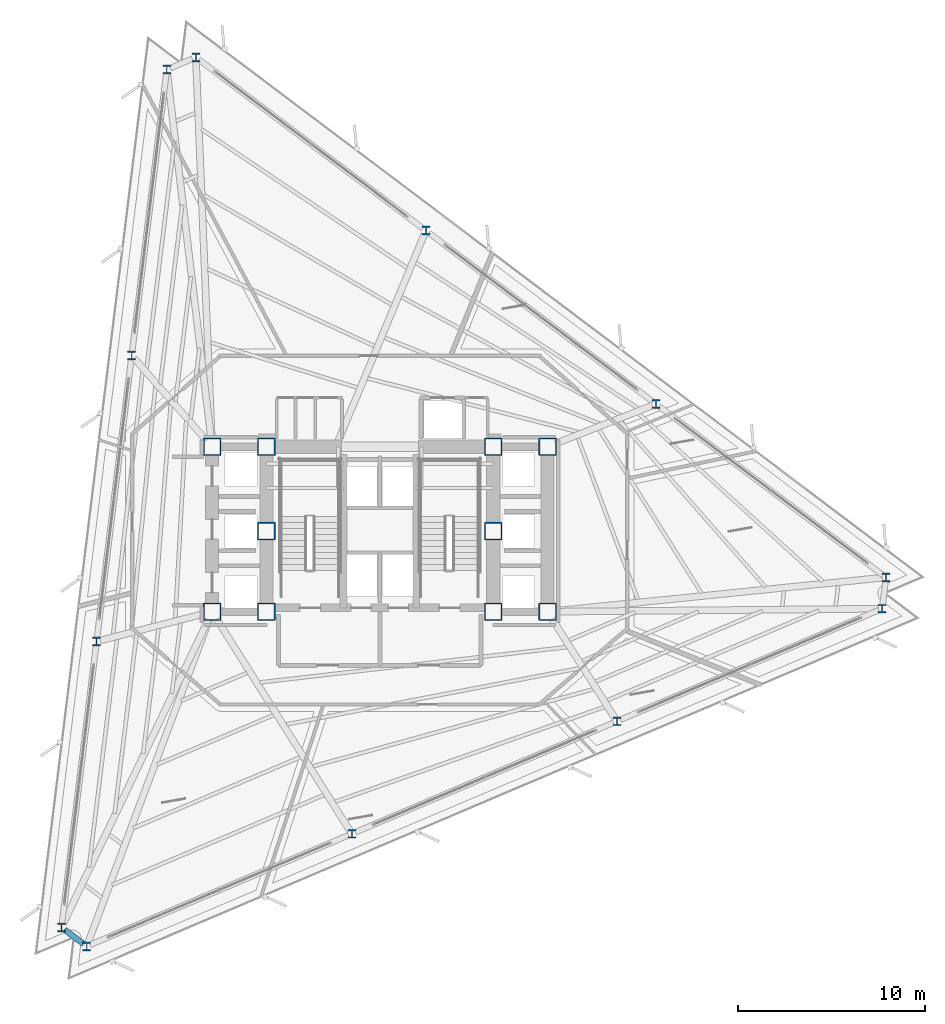
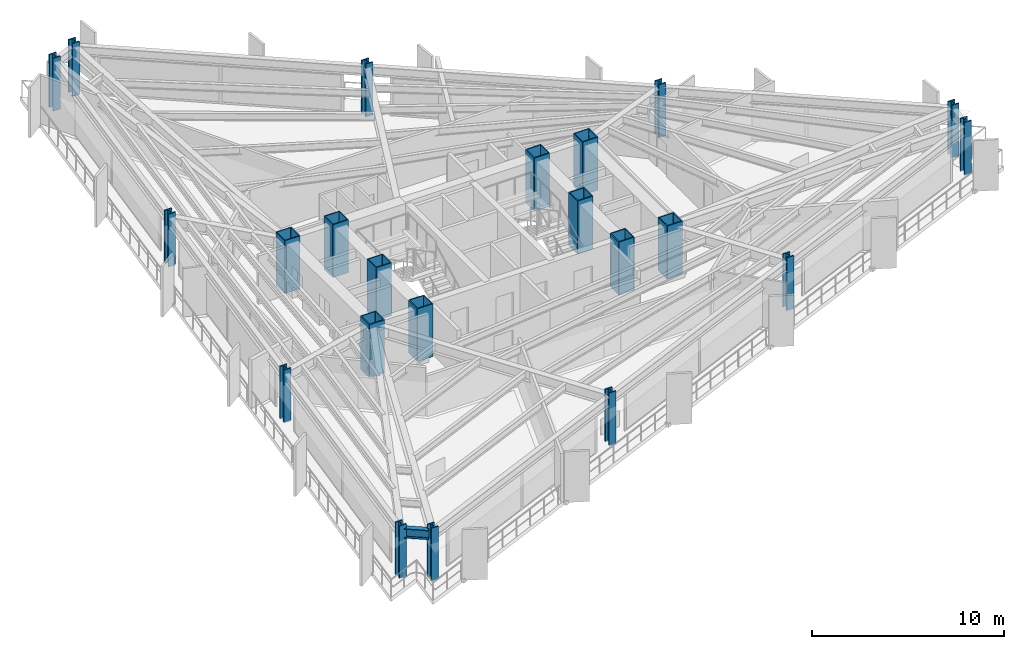
# One storey, part 1 of 13: 22 columns, 1 beam.
"""IFC4 building model written with IfcOpenShell, lengths in metres."""

from ifc_helpers import new_model, si_unit, direction, frame, origin, origin_2d, place, context, subcontext, project, spatial, hollow_rectangle, i_section, extrude, material, material_profile, profile_set, type_object, element, save


model = new_model("IFC4")

# Units and contexts
model_context = context("Model", 3, precision=1e-05, world=origin(), true_north=direction((0.0, 1.0)))
body_context = subcontext(model_context, "Body", "Model", "MODEL_VIEW")
ifc_project = project(units=[si_unit("LENGTHUNIT", "METRE"), si_unit("AREAUNIT", "SQUARE_METRE"), si_unit("VOLUMEUNIT", "CUBIC_METRE"), si_unit("PLANEANGLEUNIT", "RADIAN"), si_unit("MASSUNIT", "GRAM", prefix="KILO")], contexts=[model_context])

# Site, building, storey
site_placement = place(None, origin())
site = spatial("IfcSite", under=ifc_project, at=site_placement, CompositionType="ELEMENT")
building_placement = place(site_placement, origin())
building = spatial("IfcBuilding", under=site, at=building_placement, Name="Rocaltana Carrier Exchange", CompositionType="ELEMENT")
storey_placement = place(building_placement, frame((0.0, 0.0, 52.9599609375)))
storey = spatial("IfcBuildingStorey", under=building, at=storey_placement, Name="L16", CompositionType="ELEMENT", Elevation=52.9599609375)

# Columns
ifc_material_1 = material(Name="Steel S460", Category="steel")
ifc_material_profile_1 = material_profile(ifc_material_1, hollow_rectangle(XDim=0.949951171875, YDim=0.949951171875, WallThickness=0.06005859375, InnerFilletRadius=0.02001953125, OuterFilletRadius=0.0400390625, at=origin_2d()), Name="BOX950X950X60")
ifc_profile_set_1 = profile_set([ifc_material_profile_1], Name="Steel S460")
column_type_1 = type_object("IfcColumnType", Name="Core Mega-Column BOX950", PredefinedType="COLUMN", material=ifc_profile_set_1)
for number, where, z_axis, x_axis, name in (
    (1, (-6.050048828125, 4.5, 0.0), (0.0, 0.0, 1.0), (1.0, 0.0, 0.0), "L16 Core Mega-Column MC1"),
    (2, (6.050048828125, 4.5, 0.0), (0.0, 0.0, 1.0), (1.0, 0.0, 0.0), "L16 Core Mega-Column MC2"),
    (3, (-6.050048828125, 0.0, 0.0), (0.0, 0.0, 1.0), (1.0, 0.0, 0.0), "L16 Core Mega-Column MC3"),
    (4, (6.050048828125, 0.0, 0.0), (0.0, 0.0, 1.0), (1.0, 0.0, 0.0), "L16 Core Mega-Column MC4"),
    (5, (-6.050048828125, -4.300048828125, 0.0), (0.0, 0.0, 1.0), (1.0, 0.0, 0.0), "L16 Core Mega-Column MC5"),
    (6, (6.050048828125, -4.300048828125, 0.0), (0.0, 0.0, 1.0), (1.0, 0.0, 0.0), "L16 Core Mega-Column MC6"),
    (7, (-8.949951171875, 4.5, 0.0), (0.0, 0.0, 1.0), (1.0, 0.0, 0.0), "L16 West Core Column WC1"),
    (8, (-8.949951171875, -4.300048828125, 0.0), (0.0, 0.0, 1.0), (1.0, 0.0, 0.0), "L16 West Core Column WC2"),
    (9, (8.949951171875, 4.5, 0.0), (0.0, 0.0, 1.0), (1.0, 0.0, 0.0), "L16 East Core Column EC1"),
    (10, (8.949951171875, -4.300048828125, 0.0), (0.0, 0.0, 1.0), (1.0, 0.0, 0.0), "L16 East Core Column EC2"),
):
    element("IfcColumn", number, at=place(storey_placement, frame(where, z_axis=z_axis, x_axis=x_axis)), inside=storey, type_object=column_type_1, Name=name, PredefinedType="COLUMN", context=body_context, shape_type="SweptSolid", body=[
        extrude(hollow_rectangle(XDim=0.949951171875, YDim=0.949951171875, WallThickness=0.06005859375, InnerFilletRadius=0.02001953125, OuterFilletRadius=0.0400390625, at=origin_2d()), origin(), (0.0, 0.0, 1.0), 3.360107421875),
    ])
ifc_material_2 = material(Name="Steel S460", Category="steel")
ifc_material_profile_2 = material_profile(ifc_material_2, i_section(OverallWidth=0.424072265625, OverallDepth=0.47412109375, WebThickness=0.047607421875, FlangeThickness=0.0771484375, FilletRadius=0.02490234375, at=origin_2d()), Name="W14X426")
ifc_profile_set_2 = profile_set([ifc_material_profile_2], Name="Steel S460")
column_type_2 = type_object("IfcColumnType", Name="Perimeter Column W14X426", PredefinedType="COLUMN", material=ifc_profile_set_2)
for number, where, z_axis, x_axis, name in (
    (11, (27.0029296875, -2.466796875, 0.0), (0.0, 0.0, 1.0), (1.0, 0.0, 0.0), "L16 Perimeter Column TC01"),
    (12, (14.73046875, 6.781005859375, 0.0), (0.0, 0.0, 1.0), (1.0, 0.0, 0.0), "L16 Perimeter Column TC02"),
    (13, (2.458251953125, 16.029052734375, 0.0), (0.0, 0.0, 1.0), (1.0, 0.0, 0.0), "L16 Perimeter Column TC03"),
    (14, (-9.814208984375, 25.27685546875, 0.0), (0.0, 0.0, 1.0), (1.0, 0.0, 0.0), "L16 Perimeter Column TC04"),
    (15, (-11.365234375, 24.61865234375, 0.0), (0.0, 0.0, 1.0), (1.0, 0.0, 0.0), "L16 Perimeter Column TC05"),
    (16, (-13.23779296875, 9.366455078125, 0.0), (0.0, 0.0, 1.0), (1.0, 0.0, 0.0), "L16 Perimeter Column TC06"),
    (17, (-15.110595703125, -5.8857421875, 0.0), (0.0, 0.0, 1.0), (1.0, 0.0, 0.0), "L16 Perimeter Column TC07"),
    (18, (-16.9833984375, -21.1376953125, 0.0), (0.0, 0.0, 1.0), (1.0, 0.0, 0.0), "L16 Perimeter Column TC08"),
    (19, (-15.6376953125, -22.15185546875, 0.0), (0.0, 0.0, 1.0), (1.0, 0.0, 0.0), "L16 Perimeter Column TC09"),
    (20, (-1.49267578125, -16.147705078125, 0.0), (0.0, 0.0, 1.0), (1.0, 0.0, 0.0), "L16 Perimeter Column TC10"),
    (21, (12.652587890625, -10.143310546875, 0.0), (0.0, 0.0, 1.0), (1.0, 0.0, 0.0), "L16 Perimeter Column TC11"),
    (22, (26.797607421875, -4.13916015625, 0.0), (0.0, 0.0, 1.0), (1.0, 0.0, 0.0), "L16 Perimeter Column TC12"),
):
    element("IfcColumn", number, at=place(storey_placement, frame(where, z_axis=z_axis, x_axis=x_axis)), inside=storey, type_object=column_type_2, Name=name, PredefinedType="COLUMN", context=body_context, shape_type="SweptSolid", body=[
        extrude(i_section(OverallWidth=0.424072265625, OverallDepth=0.47412109375, WebThickness=0.047607421875, FlangeThickness=0.0771484375, FilletRadius=0.02490234375, at=origin_2d()), origin(), (0.0, 0.0, 1.0), 3.360107421875),
    ])

# Beam
ifc_material_3 = material(Name="Steel S355", Category="steel")
ifc_material_profile_3 = material_profile(ifc_material_3, i_section(OverallWidth=0.300048828125, OverallDepth=0.60009765625, WebThickness=0.015380859375, FlangeThickness=0.030029296875, FilletRadius=0.027099609375, at=origin_2d()), Name="HEB600")
ifc_profile_set_3 = profile_set([ifc_material_profile_3], Name="Steel S355")
beam_type = type_object("IfcBeamType", Name="Spandrel Edge Beam HEB600", PredefinedType="SPANDREL", material=ifc_profile_set_3)
beam_placement = place(storey_placement, frame((-16.820556640625, -21.260498046875, 2.798095703125), z_axis=(0.798667557752, -0.601772492055, 0.0), x_axis=(0.601772492055, 0.798667557752, 0.0)))
element("IfcBeam", 23, at=beam_placement, inside=storey, type_object=beam_type, Name="SP-L16-08", PredefinedType="SPANDREL", context=body_context, shape_type="SweptSolid", body=[
    extrude(i_section(OverallWidth=0.300048828125, OverallDepth=0.60009765625, WebThickness=0.015380859375, FlangeThickness=0.030029296875, FilletRadius=0.027099609375, at=origin_2d()), origin(), (0.0, 0.0, 1.0), 1.277099609375),
])

save(model, "model.ifc")
